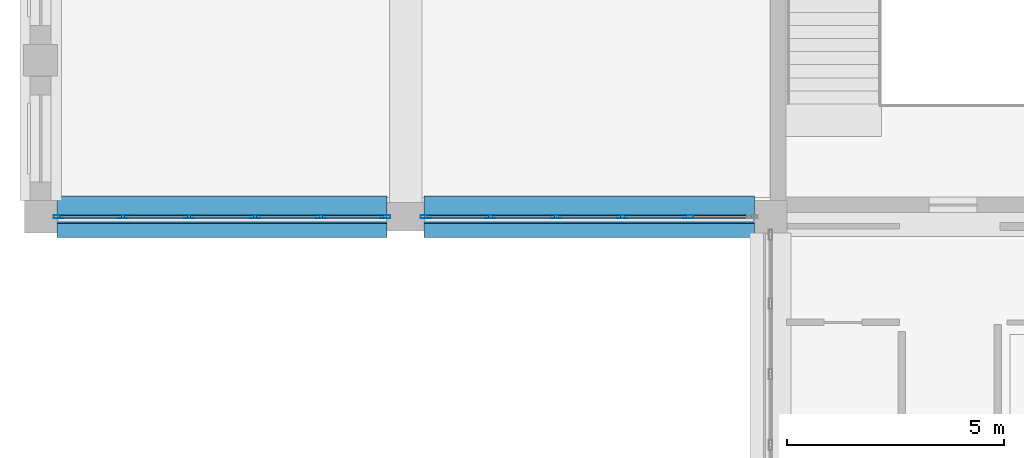
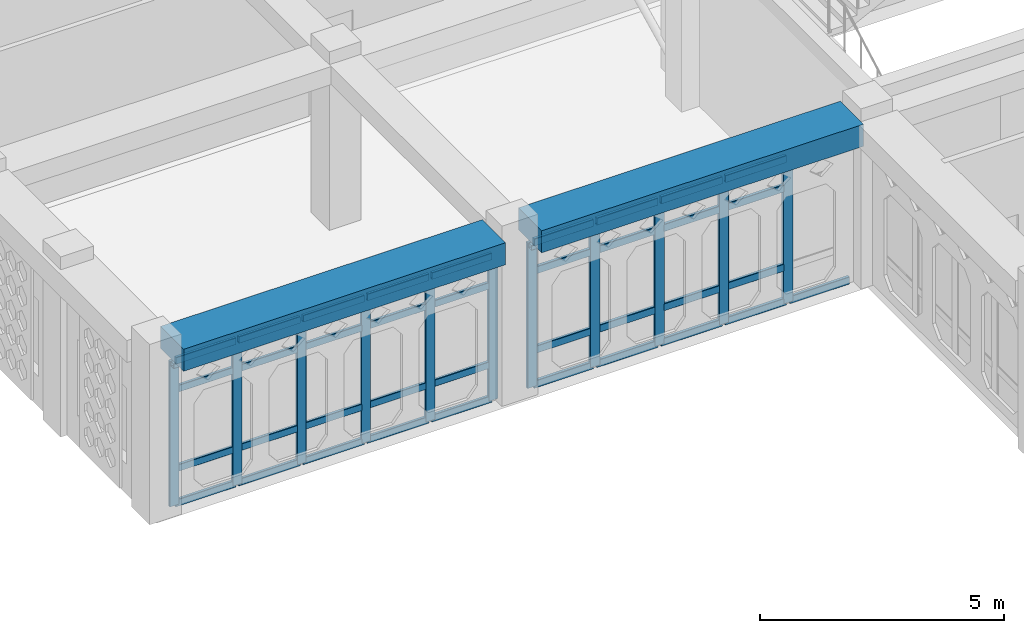
# One storey, part 2 of 100: 50 members, 2 beams, 2 elements without a shape of their own.
"""IFC4 building model written with IfcOpenShell, lengths in metres."""

from ifc_helpers import new_model, si_unit, derived_unit, direction, frame, origin, origin_2d, place, context, subcontext, project, spatial, rectangle, hollow_rectangle, extrude, material, material_profile, profile_set, type_object, element, aggregate, save


model = new_model("IFC4")

# Units and contexts
model_context = context("Model", 3, precision=1e-05, world=origin(), true_north=direction((0.0, 1.0)))
body_context = subcontext(model_context, "Body", "Model", "MODEL_VIEW")
ifc_project = project(units=[si_unit("LENGTHUNIT", "METRE"), si_unit("AREAUNIT", "SQUARE_METRE"), si_unit("VOLUMEUNIT", "CUBIC_METRE"), si_unit("PLANEANGLEUNIT", "RADIAN"), si_unit("MASSUNIT", "GRAM", prefix="KILO"), derived_unit("THERMALTRANSMITTANCEUNIT", [(si_unit("POWERUNIT", "WATT"), 1), (si_unit("LENGTHUNIT", "METRE"), -2), (si_unit("THERMODYNAMICTEMPERATUREUNIT", "KELVIN"), -1)])], contexts=[model_context])

# Site, building, storey
site_placement = place(None, origin())
site = spatial("IfcSite", under=ifc_project, at=site_placement, CompositionType="ELEMENT")
building_placement = place(site_placement, origin())
building = spatial("IfcBuilding", under=site, at=building_placement, Name="Veybourne Emporium", CompositionType="ELEMENT")
storey_placement = place(building_placement, frame((0.0, 0.0, 14.39990234375)))
storey = spatial("IfcBuildingStorey", under=building, at=storey_placement, Name="L03", CompositionType="ELEMENT", Elevation=14.39990234375)

# Curtain wall, members
ifc_material_1 = material(Name="Patinated Architectural Bronze", Category="bronze")
curtain_wall_type_1 = type_object("IfcCurtainWallType", Name="CWSystem_CWS-05", PredefinedType="NOTDEFINED", material=ifc_material_1)
curtain_wall_1_placement = place(storey_placement, origin())
curtain_wall_1 = element("IfcCurtainWall", 1, at=curtain_wall_1_placement, inside=storey, type_object=curtain_wall_type_1, Name="L03 bronze glazed curtain wall CWS-05 (001)", PredefinedType="NOTDEFINED")
ifc_material_profile_1 = material_profile(ifc_material_1, hollow_rectangle(XDim=0.072021484375, YDim=0.22509765625, WallThickness=0.0048828125, InnerFilletRadius=0.007568359375, OuterFilletRadius=0.012451171875, at=origin_2d()), Name="CWM 72x225x5")
ifc_profile_set_1 = profile_set([ifc_material_profile_1], Name="Patinated Architectural Bronze")
member_type_1 = type_object("IfcMemberType", Name="CWMullion_CW-M1", PredefinedType="MULLION", material=ifc_profile_set_1)
member_1_placement = place(storey_placement, frame((7.93896484375, 14.39990234375, 0.0), z_axis=(0.0, 0.0, 1.0), x_axis=(0.0, -1.0, 0.0)))
member_1 = element("IfcMember", 2, at=member_1_placement, type_object=member_type_1, Name="CWS-05 mullion 1", PredefinedType="MULLION", context=body_context, shape_type="SweptSolid", body=[
    extrude(hollow_rectangle(XDim=0.072021484375, YDim=0.22509765625, WallThickness=0.0048828125, InnerFilletRadius=0.007568359375, OuterFilletRadius=0.012451171875, at=origin_2d()), origin(), (0.0, 0.0, 1.0), 3.630126953125),
])
member_2_placement = place(storey_placement, frame((6.455078125, 14.39990234375, 0.0), z_axis=(0.0, 0.0, 1.0), x_axis=(0.0, -1.0, 0.0)))
member_2 = element("IfcMember", 3, at=member_2_placement, type_object=member_type_1, Name="CWS-05 mullion 2", PredefinedType="MULLION", context=body_context, shape_type="SweptSolid", body=[
    extrude(hollow_rectangle(XDim=0.072021484375, YDim=0.22509765625, WallThickness=0.0048828125, InnerFilletRadius=0.007568359375, OuterFilletRadius=0.012451171875, at=origin_2d()), origin(), (0.0, 0.0, 1.0), 3.630126953125),
])
member_3_placement = place(storey_placement, frame((4.93505859375, 14.39990234375, 0.0), z_axis=(0.0, 0.0, 1.0), x_axis=(0.0, -1.0, 0.0)))
member_3 = element("IfcMember", 4, at=member_3_placement, type_object=member_type_1, Name="CWS-05 mullion 3", PredefinedType="MULLION", context=body_context, shape_type="SweptSolid", body=[
    extrude(hollow_rectangle(XDim=0.072021484375, YDim=0.22509765625, WallThickness=0.0048828125, InnerFilletRadius=0.007568359375, OuterFilletRadius=0.012451171875, at=origin_2d()), origin(), (0.0, 0.0, 1.0), 3.630126953125),
])
member_4_placement = place(storey_placement, frame((3.4150390625, 14.39990234375, 0.0), z_axis=(0.0, 0.0, 1.0), x_axis=(0.0, -1.0, 0.0)))
member_4 = element("IfcMember", 5, at=member_4_placement, type_object=member_type_1, Name="CWS-05 mullion 4", PredefinedType="MULLION", context=body_context, shape_type="SweptSolid", body=[
    extrude(hollow_rectangle(XDim=0.072021484375, YDim=0.22509765625, WallThickness=0.0048828125, InnerFilletRadius=0.007568359375, OuterFilletRadius=0.012451171875, at=origin_2d()), origin(), (0.0, 0.0, 1.0), 3.630126953125),
])
member_5_placement = place(storey_placement, frame((1.89501953125, 14.39990234375, 0.0), z_axis=(0.0, 0.0, 1.0), x_axis=(0.0, -1.0, 0.0)))
member_5 = element("IfcMember", 6, at=member_5_placement, type_object=member_type_1, Name="CWS-05 mullion 5", PredefinedType="MULLION", context=body_context, shape_type="SweptSolid", body=[
    extrude(hollow_rectangle(XDim=0.072021484375, YDim=0.22509765625, WallThickness=0.0048828125, InnerFilletRadius=0.007568359375, OuterFilletRadius=0.012451171875, at=origin_2d()), origin(), (0.0, 0.0, 1.0), 3.630126953125),
])
member_6_placement = place(storey_placement, frame((0.410888671875, 14.39990234375, 0.0), z_axis=(0.0, 0.0, 1.0), x_axis=(0.0, -1.0, 0.0)))
member_6 = element("IfcMember", 7, at=member_6_placement, type_object=member_type_1, Name="CWS-05 mullion 6", PredefinedType="MULLION", context=body_context, shape_type="SweptSolid", body=[
    extrude(hollow_rectangle(XDim=0.072021484375, YDim=0.22509765625, WallThickness=0.0048828125, InnerFilletRadius=0.007568359375, OuterFilletRadius=0.012451171875, at=origin_2d()), origin(), (0.0, 0.0, 1.0), 3.630126953125),
])

curtain_wall_type_2 = type_object("IfcCurtainWallType", Name="CWSystem_CWS-07", PredefinedType="NOTDEFINED", material=ifc_material_1)
curtain_wall_2_placement = place(storey_placement, origin())
curtain_wall_2 = element("IfcCurtainWall", 8, at=curtain_wall_2_placement, inside=storey, type_object=curtain_wall_type_2, Name="L03 bronze glazed curtain wall CWS-07 (008)", PredefinedType="NOTDEFINED")
ifc_material_profile_2 = material_profile(ifc_material_1, hollow_rectangle(XDim=0.077880859375, YDim=0.235107421875, WallThickness=0.0048828125, InnerFilletRadius=0.007568359375, OuterFilletRadius=0.012451171875, at=origin_2d()), Name="CWM 78x235x5")
ifc_profile_set_2 = profile_set([ifc_material_profile_2], Name="Patinated Architectural Bronze")
member_type_2 = type_object("IfcMemberType", Name="CWMullion_CW-M3", PredefinedType="MULLION", material=ifc_profile_set_2)
member_7_placement = place(storey_placement, frame((14.905029296875, 14.39990234375, 0.0), z_axis=(0.0, 0.0, 1.0), x_axis=(0.0, -1.0, 0.0)))
member_7 = element("IfcMember", 9, at=member_7_placement, type_object=member_type_2, Name="CWS-07 mullion 2", PredefinedType="MULLION", context=body_context, shape_type="SweptSolid", body=[
    extrude(hollow_rectangle(XDim=0.077880859375, YDim=0.235107421875, WallThickness=0.0048828125, InnerFilletRadius=0.007568359375, OuterFilletRadius=0.012451171875, at=origin_2d()), origin(), (0.0, 0.0, 1.0), 3.630126953125),
])
member_8_placement = place(storey_placement, frame((13.385009765625, 14.39990234375, 0.0), z_axis=(0.0, 0.0, 1.0), x_axis=(0.0, -1.0, 0.0)))
member_8 = element("IfcMember", 10, at=member_8_placement, type_object=member_type_2, Name="CWS-07 mullion 3", PredefinedType="MULLION", context=body_context, shape_type="SweptSolid", body=[
    extrude(hollow_rectangle(XDim=0.077880859375, YDim=0.235107421875, WallThickness=0.0048828125, InnerFilletRadius=0.007568359375, OuterFilletRadius=0.012451171875, at=origin_2d()), origin(), (0.0, 0.0, 1.0), 3.630126953125),
])
member_9_placement = place(storey_placement, frame((11.864990234375, 14.39990234375, 0.0), z_axis=(0.0, 0.0, 1.0), x_axis=(0.0, -1.0, 0.0)))
member_9 = element("IfcMember", 11, at=member_9_placement, type_object=member_type_2, Name="CWS-07 mullion 4", PredefinedType="MULLION", context=body_context, shape_type="SweptSolid", body=[
    extrude(hollow_rectangle(XDim=0.077880859375, YDim=0.235107421875, WallThickness=0.0048828125, InnerFilletRadius=0.007568359375, OuterFilletRadius=0.012451171875, at=origin_2d()), origin(), (0.0, 0.0, 1.0), 3.630126953125),
])
member_10_placement = place(storey_placement, frame((10.344970703125, 14.39990234375, 0.0), z_axis=(0.0, 0.0, 1.0), x_axis=(0.0, -1.0, 0.0)))
member_10 = element("IfcMember", 12, at=member_10_placement, type_object=member_type_2, Name="CWS-07 mullion 5", PredefinedType="MULLION", context=body_context, shape_type="SweptSolid", body=[
    extrude(hollow_rectangle(XDim=0.077880859375, YDim=0.235107421875, WallThickness=0.0048828125, InnerFilletRadius=0.007568359375, OuterFilletRadius=0.012451171875, at=origin_2d()), origin(), (0.0, 0.0, 1.0), 3.630126953125),
])
member_11_placement = place(storey_placement, frame((8.864013671875, 14.39990234375, 0.0), z_axis=(0.0, 0.0, 1.0), x_axis=(0.0, -1.0, 0.0)))
member_11 = element("IfcMember", 13, at=member_11_placement, type_object=member_type_2, Name="CWS-07 mullion 6", PredefinedType="MULLION", context=body_context, shape_type="SweptSolid", body=[
    extrude(hollow_rectangle(XDim=0.077880859375, YDim=0.235107421875, WallThickness=0.0048828125, InnerFilletRadius=0.007568359375, OuterFilletRadius=0.012451171875, at=origin_2d()), origin(), (0.0, 0.0, 1.0), 3.630126953125),
])

# Member
ifc_material_profile_3 = material_profile(ifc_material_1, hollow_rectangle(XDim=0.072021484375, YDim=0.175048828125, WallThickness=0.0048828125, InnerFilletRadius=0.007568359375, OuterFilletRadius=0.012451171875, at=origin_2d()), Name="CWT 72x175x5")
ifc_profile_set_3 = profile_set([ifc_material_profile_3], Name="Patinated Architectural Bronze")
member_type_3 = type_object("IfcMemberType", Name="CWTransom_CW-T1", PredefinedType="NOTDEFINED", material=ifc_profile_set_3)
member_12_placement = place(storey_placement, frame((7.903076171875, 14.39990234375, 0.0361328125), z_axis=(-1.0, 0.0, 0.0), x_axis=(0.0, -1.0, 0.0)))
member_12 = element("IfcMember", 14, at=member_12_placement, type_object=member_type_3, Name="CWS-05 transom 1.1", ObjectType="TRANSOM", PredefinedType="USERDEFINED", context=body_context, shape_type="SweptSolid", body=[
    extrude(hollow_rectangle(XDim=0.072021484375, YDim=0.175048828125, WallThickness=0.0048828125, InnerFilletRadius=0.007568359375, OuterFilletRadius=0.012451171875, at=origin_2d()), origin(), (0.0, 0.0, 1.0), 1.412109375),
])

member_13_placement = place(storey_placement, frame((7.903076171875, 14.39990234375, 0.900146484375), z_axis=(-1.0, 0.0, 0.0), x_axis=(0.0, -1.0, 0.0)))
member_13 = element("IfcMember", 15, at=member_13_placement, type_object=member_type_3, Name="CWS-05 transom 1.2", ObjectType="TRANSOM", PredefinedType="USERDEFINED", context=body_context, shape_type="SweptSolid", body=[
    extrude(hollow_rectangle(XDim=0.072021484375, YDim=0.175048828125, WallThickness=0.0048828125, InnerFilletRadius=0.007568359375, OuterFilletRadius=0.012451171875, at=origin_2d()), origin(), (0.0, 0.0, 1.0), 1.412109375),
])

member_14_placement = place(storey_placement, frame((7.903076171875, 14.39990234375, 2.880126953125), z_axis=(-1.0, 0.0, 0.0), x_axis=(0.0, -1.0, 0.0)))
member_14 = element("IfcMember", 16, at=member_14_placement, type_object=member_type_3, Name="CWS-05 transom 1.3", ObjectType="TRANSOM", PredefinedType="USERDEFINED", context=body_context, shape_type="SweptSolid", body=[
    extrude(hollow_rectangle(XDim=0.072021484375, YDim=0.175048828125, WallThickness=0.0048828125, InnerFilletRadius=0.007568359375, OuterFilletRadius=0.012451171875, at=origin_2d()), origin(), (0.0, 0.0, 1.0), 1.412109375),
])

member_15_placement = place(storey_placement, frame((7.903076171875, 14.39990234375, 3.593994140625), z_axis=(-1.0, 0.0, 0.0), x_axis=(0.0, -1.0, 0.0)))
member_15 = element("IfcMember", 17, at=member_15_placement, type_object=member_type_3, Name="CWS-05 transom 1.4", ObjectType="TRANSOM", PredefinedType="USERDEFINED", context=body_context, shape_type="SweptSolid", body=[
    extrude(hollow_rectangle(XDim=0.072021484375, YDim=0.175048828125, WallThickness=0.0048828125, InnerFilletRadius=0.007568359375, OuterFilletRadius=0.012451171875, at=origin_2d()), origin(), (0.0, 0.0, 1.0), 1.412109375),
])

member_16_placement = place(storey_placement, frame((6.4189453125, 14.39990234375, 0.0361328125), z_axis=(-1.0, 0.0, 0.0), x_axis=(0.0, -1.0, 0.0)))
member_16 = element("IfcMember", 18, at=member_16_placement, type_object=member_type_3, Name="CWS-05 transom 2.1", ObjectType="TRANSOM", PredefinedType="USERDEFINED", context=body_context, shape_type="SweptSolid", body=[
    extrude(hollow_rectangle(XDim=0.072021484375, YDim=0.175048828125, WallThickness=0.0048828125, InnerFilletRadius=0.007568359375, OuterFilletRadius=0.012451171875, at=origin_2d()), origin(), (0.0, 0.0, 1.0), 1.447998046875),
])

member_17_placement = place(storey_placement, frame((6.4189453125, 14.39990234375, 0.900146484375), z_axis=(-1.0, 0.0, 0.0), x_axis=(0.0, -1.0, 0.0)))
member_17 = element("IfcMember", 19, at=member_17_placement, type_object=member_type_3, Name="CWS-05 transom 2.2", ObjectType="TRANSOM", PredefinedType="USERDEFINED", context=body_context, shape_type="SweptSolid", body=[
    extrude(hollow_rectangle(XDim=0.072021484375, YDim=0.175048828125, WallThickness=0.0048828125, InnerFilletRadius=0.007568359375, OuterFilletRadius=0.012451171875, at=origin_2d()), origin(), (0.0, 0.0, 1.0), 1.447998046875),
])

member_18_placement = place(storey_placement, frame((6.4189453125, 14.39990234375, 2.880126953125), z_axis=(-1.0, 0.0, 0.0), x_axis=(0.0, -1.0, 0.0)))
member_18 = element("IfcMember", 20, at=member_18_placement, type_object=member_type_3, Name="CWS-05 transom 2.3", ObjectType="TRANSOM", PredefinedType="USERDEFINED", context=body_context, shape_type="SweptSolid", body=[
    extrude(hollow_rectangle(XDim=0.072021484375, YDim=0.175048828125, WallThickness=0.0048828125, InnerFilletRadius=0.007568359375, OuterFilletRadius=0.012451171875, at=origin_2d()), origin(), (0.0, 0.0, 1.0), 1.447998046875),
])

member_19_placement = place(storey_placement, frame((6.4189453125, 14.39990234375, 3.593994140625), z_axis=(-1.0, 0.0, 0.0), x_axis=(0.0, -1.0, 0.0)))
member_19 = element("IfcMember", 21, at=member_19_placement, type_object=member_type_3, Name="CWS-05 transom 2.4", ObjectType="TRANSOM", PredefinedType="USERDEFINED", context=body_context, shape_type="SweptSolid", body=[
    extrude(hollow_rectangle(XDim=0.072021484375, YDim=0.175048828125, WallThickness=0.0048828125, InnerFilletRadius=0.007568359375, OuterFilletRadius=0.012451171875, at=origin_2d()), origin(), (0.0, 0.0, 1.0), 1.447998046875),
])

member_20_placement = place(storey_placement, frame((4.89892578125, 14.39990234375, 0.0361328125), z_axis=(-1.0, 0.0, 0.0), x_axis=(0.0, -1.0, 0.0)))
member_20 = element("IfcMember", 22, at=member_20_placement, type_object=member_type_3, Name="CWS-05 transom 3.1", ObjectType="TRANSOM", PredefinedType="USERDEFINED", context=body_context, shape_type="SweptSolid", body=[
    extrude(hollow_rectangle(XDim=0.072021484375, YDim=0.175048828125, WallThickness=0.0048828125, InnerFilletRadius=0.007568359375, OuterFilletRadius=0.012451171875, at=origin_2d()), origin(), (0.0, 0.0, 1.0), 1.447998046875),
])

member_21_placement = place(storey_placement, frame((4.89892578125, 14.39990234375, 0.900146484375), z_axis=(-1.0, 0.0, 0.0), x_axis=(0.0, -1.0, 0.0)))
member_21 = element("IfcMember", 23, at=member_21_placement, type_object=member_type_3, Name="CWS-05 transom 3.2", ObjectType="TRANSOM", PredefinedType="USERDEFINED", context=body_context, shape_type="SweptSolid", body=[
    extrude(hollow_rectangle(XDim=0.072021484375, YDim=0.175048828125, WallThickness=0.0048828125, InnerFilletRadius=0.007568359375, OuterFilletRadius=0.012451171875, at=origin_2d()), origin(), (0.0, 0.0, 1.0), 1.447998046875),
])

member_22_placement = place(storey_placement, frame((4.89892578125, 14.39990234375, 2.880126953125), z_axis=(-1.0, 0.0, 0.0), x_axis=(0.0, -1.0, 0.0)))
member_22 = element("IfcMember", 24, at=member_22_placement, type_object=member_type_3, Name="CWS-05 transom 3.3", ObjectType="TRANSOM", PredefinedType="USERDEFINED", context=body_context, shape_type="SweptSolid", body=[
    extrude(hollow_rectangle(XDim=0.072021484375, YDim=0.175048828125, WallThickness=0.0048828125, InnerFilletRadius=0.007568359375, OuterFilletRadius=0.012451171875, at=origin_2d()), origin(), (0.0, 0.0, 1.0), 1.447998046875),
])

member_23_placement = place(storey_placement, frame((4.89892578125, 14.39990234375, 3.593994140625), z_axis=(-1.0, 0.0, 0.0), x_axis=(0.0, -1.0, 0.0)))
member_23 = element("IfcMember", 25, at=member_23_placement, type_object=member_type_3, Name="CWS-05 transom 3.4", ObjectType="TRANSOM", PredefinedType="USERDEFINED", context=body_context, shape_type="SweptSolid", body=[
    extrude(hollow_rectangle(XDim=0.072021484375, YDim=0.175048828125, WallThickness=0.0048828125, InnerFilletRadius=0.007568359375, OuterFilletRadius=0.012451171875, at=origin_2d()), origin(), (0.0, 0.0, 1.0), 1.447998046875),
])

member_24_placement = place(storey_placement, frame((3.37890625, 14.39990234375, 0.0361328125), z_axis=(-1.0, 0.0, 0.0), x_axis=(0.0, -1.0, 0.0)))
member_24 = element("IfcMember", 26, at=member_24_placement, type_object=member_type_3, Name="CWS-05 transom 4.1", ObjectType="TRANSOM", PredefinedType="USERDEFINED", context=body_context, shape_type="SweptSolid", body=[
    extrude(hollow_rectangle(XDim=0.072021484375, YDim=0.175048828125, WallThickness=0.0048828125, InnerFilletRadius=0.007568359375, OuterFilletRadius=0.012451171875, at=origin_2d()), origin(), (0.0, 0.0, 1.0), 1.447998046875),
])

member_25_placement = place(storey_placement, frame((3.37890625, 14.39990234375, 0.900146484375), z_axis=(-1.0, 0.0, 0.0), x_axis=(0.0, -1.0, 0.0)))
member_25 = element("IfcMember", 27, at=member_25_placement, type_object=member_type_3, Name="CWS-05 transom 4.2", ObjectType="TRANSOM", PredefinedType="USERDEFINED", context=body_context, shape_type="SweptSolid", body=[
    extrude(hollow_rectangle(XDim=0.072021484375, YDim=0.175048828125, WallThickness=0.0048828125, InnerFilletRadius=0.007568359375, OuterFilletRadius=0.012451171875, at=origin_2d()), origin(), (0.0, 0.0, 1.0), 1.447998046875),
])

member_26_placement = place(storey_placement, frame((3.37890625, 14.39990234375, 2.880126953125), z_axis=(-1.0, 0.0, 0.0), x_axis=(0.0, -1.0, 0.0)))
member_26 = element("IfcMember", 28, at=member_26_placement, type_object=member_type_3, Name="CWS-05 transom 4.3", ObjectType="TRANSOM", PredefinedType="USERDEFINED", context=body_context, shape_type="SweptSolid", body=[
    extrude(hollow_rectangle(XDim=0.072021484375, YDim=0.175048828125, WallThickness=0.0048828125, InnerFilletRadius=0.007568359375, OuterFilletRadius=0.012451171875, at=origin_2d()), origin(), (0.0, 0.0, 1.0), 1.447998046875),
])

member_27_placement = place(storey_placement, frame((3.37890625, 14.39990234375, 3.593994140625), z_axis=(-1.0, 0.0, 0.0), x_axis=(0.0, -1.0, 0.0)))
member_27 = element("IfcMember", 29, at=member_27_placement, type_object=member_type_3, Name="CWS-05 transom 4.4", ObjectType="TRANSOM", PredefinedType="USERDEFINED", context=body_context, shape_type="SweptSolid", body=[
    extrude(hollow_rectangle(XDim=0.072021484375, YDim=0.175048828125, WallThickness=0.0048828125, InnerFilletRadius=0.007568359375, OuterFilletRadius=0.012451171875, at=origin_2d()), origin(), (0.0, 0.0, 1.0), 1.447998046875),
])

member_28_placement = place(storey_placement, frame((1.85888671875, 14.39990234375, 0.0361328125), z_axis=(-1.0, 0.0, 0.0), x_axis=(0.0, -1.0, 0.0)))
member_28 = element("IfcMember", 30, at=member_28_placement, type_object=member_type_3, Name="CWS-05 transom 5.1", ObjectType="TRANSOM", PredefinedType="USERDEFINED", context=body_context, shape_type="SweptSolid", body=[
    extrude(hollow_rectangle(XDim=0.072021484375, YDim=0.175048828125, WallThickness=0.0048828125, InnerFilletRadius=0.007568359375, OuterFilletRadius=0.012451171875, at=origin_2d()), origin(), (0.0, 0.0, 1.0), 1.411865234375),
])

member_29_placement = place(storey_placement, frame((1.85888671875, 14.39990234375, 0.900146484375), z_axis=(-1.0, 0.0, 0.0), x_axis=(0.0, -1.0, 0.0)))
member_29 = element("IfcMember", 31, at=member_29_placement, type_object=member_type_3, Name="CWS-05 transom 5.2", ObjectType="TRANSOM", PredefinedType="USERDEFINED", context=body_context, shape_type="SweptSolid", body=[
    extrude(hollow_rectangle(XDim=0.072021484375, YDim=0.175048828125, WallThickness=0.0048828125, InnerFilletRadius=0.007568359375, OuterFilletRadius=0.012451171875, at=origin_2d()), origin(), (0.0, 0.0, 1.0), 1.411865234375),
])

member_30_placement = place(storey_placement, frame((1.85888671875, 14.39990234375, 2.880126953125), z_axis=(-1.0, 0.0, 0.0), x_axis=(0.0, -1.0, 0.0)))
member_30 = element("IfcMember", 32, at=member_30_placement, type_object=member_type_3, Name="CWS-05 transom 5.3", ObjectType="TRANSOM", PredefinedType="USERDEFINED", context=body_context, shape_type="SweptSolid", body=[
    extrude(hollow_rectangle(XDim=0.072021484375, YDim=0.175048828125, WallThickness=0.0048828125, InnerFilletRadius=0.007568359375, OuterFilletRadius=0.012451171875, at=origin_2d()), origin(), (0.0, 0.0, 1.0), 1.411865234375),
])

member_31_placement = place(storey_placement, frame((1.85888671875, 14.39990234375, 3.593994140625), z_axis=(-1.0, 0.0, 0.0), x_axis=(0.0, -1.0, 0.0)))
member_31 = element("IfcMember", 33, at=member_31_placement, type_object=member_type_3, Name="CWS-05 transom 5.4", ObjectType="TRANSOM", PredefinedType="USERDEFINED", context=body_context, shape_type="SweptSolid", body=[
    extrude(hollow_rectangle(XDim=0.072021484375, YDim=0.175048828125, WallThickness=0.0048828125, InnerFilletRadius=0.007568359375, OuterFilletRadius=0.012451171875, at=origin_2d()), origin(), (0.0, 0.0, 1.0), 1.411865234375),
])

aggregate(curtain_wall_1, [member_1, member_2, member_3, member_4, member_5, member_6, member_12, member_13, member_14, member_15, member_16, member_17, member_18, member_19, member_20, member_21, member_22, member_23, member_24, member_25, member_26, member_27, member_28, member_29, member_30, member_31])

ifc_material_profile_4 = material_profile(ifc_material_1, hollow_rectangle(XDim=0.077880859375, YDim=0.18505859375, WallThickness=0.0048828125, InnerFilletRadius=0.007568359375, OuterFilletRadius=0.012451171875, at=origin_2d()), Name="CWT 78x185x5")
ifc_profile_set_4 = profile_set([ifc_material_profile_4], Name="Patinated Architectural Bronze")
member_type_4 = type_object("IfcMemberType", Name="CWTransom_CW-T3", PredefinedType="NOTDEFINED", material=ifc_profile_set_4)
member_32_placement = place(storey_placement, frame((16.346923828125, 14.39990234375, 0.0390625), z_axis=(-1.0, 0.0, 0.0), x_axis=(0.0, -1.0, 0.0)))
member_32 = element("IfcMember", 34, at=member_32_placement, type_object=member_type_4, Name="CWS-07 transom 1.1", ObjectType="TRANSOM", PredefinedType="USERDEFINED", context=body_context, shape_type="SweptSolid", body=[
    extrude(hollow_rectangle(XDim=0.077880859375, YDim=0.18505859375, WallThickness=0.0048828125, InnerFilletRadius=0.007568359375, OuterFilletRadius=0.012451171875, at=origin_2d()), origin(), (0.0, 0.0, 1.0), 1.40283203125),
])

member_33_placement = place(storey_placement, frame((14.865966796875, 14.39990234375, 0.0390625), z_axis=(-1.0, 0.0, 0.0), x_axis=(0.0, -1.0, 0.0)))
member_33 = element("IfcMember", 35, at=member_33_placement, type_object=member_type_4, Name="CWS-07 transom 2.1", ObjectType="TRANSOM", PredefinedType="USERDEFINED", context=body_context, shape_type="SweptSolid", body=[
    extrude(hollow_rectangle(XDim=0.077880859375, YDim=0.18505859375, WallThickness=0.0048828125, InnerFilletRadius=0.007568359375, OuterFilletRadius=0.012451171875, at=origin_2d()), origin(), (0.0, 0.0, 1.0), 1.44189453125),
])

member_34_placement = place(storey_placement, frame((14.865966796875, 14.39990234375, 0.900146484375), z_axis=(-1.0, 0.0, 0.0), x_axis=(0.0, -1.0, 0.0)))
member_34 = element("IfcMember", 36, at=member_34_placement, type_object=member_type_4, Name="CWS-07 transom 2.2", ObjectType="TRANSOM", PredefinedType="USERDEFINED", context=body_context, shape_type="SweptSolid", body=[
    extrude(hollow_rectangle(XDim=0.077880859375, YDim=0.18505859375, WallThickness=0.0048828125, InnerFilletRadius=0.007568359375, OuterFilletRadius=0.012451171875, at=origin_2d()), origin(), (0.0, 0.0, 1.0), 1.44189453125),
])

member_35_placement = place(storey_placement, frame((14.865966796875, 14.39990234375, 2.880126953125), z_axis=(-1.0, 0.0, 0.0), x_axis=(0.0, -1.0, 0.0)))
member_35 = element("IfcMember", 37, at=member_35_placement, type_object=member_type_4, Name="CWS-07 transom 2.3", ObjectType="TRANSOM", PredefinedType="USERDEFINED", context=body_context, shape_type="SweptSolid", body=[
    extrude(hollow_rectangle(XDim=0.077880859375, YDim=0.18505859375, WallThickness=0.0048828125, InnerFilletRadius=0.007568359375, OuterFilletRadius=0.012451171875, at=origin_2d()), origin(), (0.0, 0.0, 1.0), 1.44189453125),
])

member_36_placement = place(storey_placement, frame((14.865966796875, 14.39990234375, 3.591064453125), z_axis=(-1.0, 0.0, 0.0), x_axis=(0.0, -1.0, 0.0)))
member_36 = element("IfcMember", 38, at=member_36_placement, type_object=member_type_4, Name="CWS-07 transom 2.4", ObjectType="TRANSOM", PredefinedType="USERDEFINED", context=body_context, shape_type="SweptSolid", body=[
    extrude(hollow_rectangle(XDim=0.077880859375, YDim=0.18505859375, WallThickness=0.0048828125, InnerFilletRadius=0.007568359375, OuterFilletRadius=0.012451171875, at=origin_2d()), origin(), (0.0, 0.0, 1.0), 1.44189453125),
])

member_37_placement = place(storey_placement, frame((13.345947265625, 14.39990234375, 0.0390625), z_axis=(-1.0, 0.0, 0.0), x_axis=(0.0, -1.0, 0.0)))
member_37 = element("IfcMember", 39, at=member_37_placement, type_object=member_type_4, Name="CWS-07 transom 3.1", ObjectType="TRANSOM", PredefinedType="USERDEFINED", context=body_context, shape_type="SweptSolid", body=[
    extrude(hollow_rectangle(XDim=0.077880859375, YDim=0.18505859375, WallThickness=0.0048828125, InnerFilletRadius=0.007568359375, OuterFilletRadius=0.012451171875, at=origin_2d()), origin(), (0.0, 0.0, 1.0), 1.44189453125),
])

member_38_placement = place(storey_placement, frame((13.345947265625, 14.39990234375, 0.900146484375), z_axis=(-1.0, 0.0, 0.0), x_axis=(0.0, -1.0, 0.0)))
member_38 = element("IfcMember", 40, at=member_38_placement, type_object=member_type_4, Name="CWS-07 transom 3.2", ObjectType="TRANSOM", PredefinedType="USERDEFINED", context=body_context, shape_type="SweptSolid", body=[
    extrude(hollow_rectangle(XDim=0.077880859375, YDim=0.18505859375, WallThickness=0.0048828125, InnerFilletRadius=0.007568359375, OuterFilletRadius=0.012451171875, at=origin_2d()), origin(), (0.0, 0.0, 1.0), 1.44189453125),
])

member_39_placement = place(storey_placement, frame((13.345947265625, 14.39990234375, 2.880126953125), z_axis=(-1.0, 0.0, 0.0), x_axis=(0.0, -1.0, 0.0)))
member_39 = element("IfcMember", 41, at=member_39_placement, type_object=member_type_4, Name="CWS-07 transom 3.3", ObjectType="TRANSOM", PredefinedType="USERDEFINED", context=body_context, shape_type="SweptSolid", body=[
    extrude(hollow_rectangle(XDim=0.077880859375, YDim=0.18505859375, WallThickness=0.0048828125, InnerFilletRadius=0.007568359375, OuterFilletRadius=0.012451171875, at=origin_2d()), origin(), (0.0, 0.0, 1.0), 1.44189453125),
])

member_40_placement = place(storey_placement, frame((13.345947265625, 14.39990234375, 3.591064453125), z_axis=(-1.0, 0.0, 0.0), x_axis=(0.0, -1.0, 0.0)))
member_40 = element("IfcMember", 42, at=member_40_placement, type_object=member_type_4, Name="CWS-07 transom 3.4", ObjectType="TRANSOM", PredefinedType="USERDEFINED", context=body_context, shape_type="SweptSolid", body=[
    extrude(hollow_rectangle(XDim=0.077880859375, YDim=0.18505859375, WallThickness=0.0048828125, InnerFilletRadius=0.007568359375, OuterFilletRadius=0.012451171875, at=origin_2d()), origin(), (0.0, 0.0, 1.0), 1.44189453125),
])

member_41_placement = place(storey_placement, frame((11.825927734375, 14.39990234375, 0.0390625), z_axis=(-1.0, 0.0, 0.0), x_axis=(0.0, -1.0, 0.0)))
member_41 = element("IfcMember", 43, at=member_41_placement, type_object=member_type_4, Name="CWS-07 transom 4.1", ObjectType="TRANSOM", PredefinedType="USERDEFINED", context=body_context, shape_type="SweptSolid", body=[
    extrude(hollow_rectangle(XDim=0.077880859375, YDim=0.18505859375, WallThickness=0.0048828125, InnerFilletRadius=0.007568359375, OuterFilletRadius=0.012451171875, at=origin_2d()), origin(), (0.0, 0.0, 1.0), 1.44189453125),
])

member_42_placement = place(storey_placement, frame((11.825927734375, 14.39990234375, 0.900146484375), z_axis=(-1.0, 0.0, 0.0), x_axis=(0.0, -1.0, 0.0)))
member_42 = element("IfcMember", 44, at=member_42_placement, type_object=member_type_4, Name="CWS-07 transom 4.2", ObjectType="TRANSOM", PredefinedType="USERDEFINED", context=body_context, shape_type="SweptSolid", body=[
    extrude(hollow_rectangle(XDim=0.077880859375, YDim=0.18505859375, WallThickness=0.0048828125, InnerFilletRadius=0.007568359375, OuterFilletRadius=0.012451171875, at=origin_2d()), origin(), (0.0, 0.0, 1.0), 1.44189453125),
])

member_43_placement = place(storey_placement, frame((11.825927734375, 14.39990234375, 2.880126953125), z_axis=(-1.0, 0.0, 0.0), x_axis=(0.0, -1.0, 0.0)))
member_43 = element("IfcMember", 45, at=member_43_placement, type_object=member_type_4, Name="CWS-07 transom 4.3", ObjectType="TRANSOM", PredefinedType="USERDEFINED", context=body_context, shape_type="SweptSolid", body=[
    extrude(hollow_rectangle(XDim=0.077880859375, YDim=0.18505859375, WallThickness=0.0048828125, InnerFilletRadius=0.007568359375, OuterFilletRadius=0.012451171875, at=origin_2d()), origin(), (0.0, 0.0, 1.0), 1.44189453125),
])

member_44_placement = place(storey_placement, frame((11.825927734375, 14.39990234375, 3.591064453125), z_axis=(-1.0, 0.0, 0.0), x_axis=(0.0, -1.0, 0.0)))
member_44 = element("IfcMember", 46, at=member_44_placement, type_object=member_type_4, Name="CWS-07 transom 4.4", ObjectType="TRANSOM", PredefinedType="USERDEFINED", context=body_context, shape_type="SweptSolid", body=[
    extrude(hollow_rectangle(XDim=0.077880859375, YDim=0.18505859375, WallThickness=0.0048828125, InnerFilletRadius=0.007568359375, OuterFilletRadius=0.012451171875, at=origin_2d()), origin(), (0.0, 0.0, 1.0), 1.44189453125),
])

member_45_placement = place(storey_placement, frame((10.305908203125, 14.39990234375, 0.0390625), z_axis=(-1.0, 0.0, 0.0), x_axis=(0.0, -1.0, 0.0)))
member_45 = element("IfcMember", 47, at=member_45_placement, type_object=member_type_4, Name="CWS-07 transom 5.1", ObjectType="TRANSOM", PredefinedType="USERDEFINED", context=body_context, shape_type="SweptSolid", body=[
    extrude(hollow_rectangle(XDim=0.077880859375, YDim=0.18505859375, WallThickness=0.0048828125, InnerFilletRadius=0.007568359375, OuterFilletRadius=0.012451171875, at=origin_2d()), origin(), (0.0, 0.0, 1.0), 1.40283203125),
])

member_46_placement = place(storey_placement, frame((10.305908203125, 14.39990234375, 0.900146484375), z_axis=(-1.0, 0.0, 0.0), x_axis=(0.0, -1.0, 0.0)))
member_46 = element("IfcMember", 48, at=member_46_placement, type_object=member_type_4, Name="CWS-07 transom 5.2", ObjectType="TRANSOM", PredefinedType="USERDEFINED", context=body_context, shape_type="SweptSolid", body=[
    extrude(hollow_rectangle(XDim=0.077880859375, YDim=0.18505859375, WallThickness=0.0048828125, InnerFilletRadius=0.007568359375, OuterFilletRadius=0.012451171875, at=origin_2d()), origin(), (0.0, 0.0, 1.0), 1.40283203125),
])

member_47_placement = place(storey_placement, frame((10.305908203125, 14.39990234375, 2.880126953125), z_axis=(-1.0, 0.0, 0.0), x_axis=(0.0, -1.0, 0.0)))
member_47 = element("IfcMember", 49, at=member_47_placement, type_object=member_type_4, Name="CWS-07 transom 5.3", ObjectType="TRANSOM", PredefinedType="USERDEFINED", context=body_context, shape_type="SweptSolid", body=[
    extrude(hollow_rectangle(XDim=0.077880859375, YDim=0.18505859375, WallThickness=0.0048828125, InnerFilletRadius=0.007568359375, OuterFilletRadius=0.012451171875, at=origin_2d()), origin(), (0.0, 0.0, 1.0), 1.40283203125),
])

member_48_placement = place(storey_placement, frame((10.305908203125, 14.39990234375, 3.591064453125), z_axis=(-1.0, 0.0, 0.0), x_axis=(0.0, -1.0, 0.0)))
member_48 = element("IfcMember", 50, at=member_48_placement, type_object=member_type_4, Name="CWS-07 transom 5.4", ObjectType="TRANSOM", PredefinedType="USERDEFINED", context=body_context, shape_type="SweptSolid", body=[
    extrude(hollow_rectangle(XDim=0.077880859375, YDim=0.18505859375, WallThickness=0.0048828125, InnerFilletRadius=0.007568359375, OuterFilletRadius=0.012451171875, at=origin_2d()), origin(), (0.0, 0.0, 1.0), 1.40283203125),
])

aggregate(curtain_wall_2, [member_7, member_8, member_9, member_10, member_11, member_32, member_33, member_34, member_35, member_36, member_37, member_38, member_39, member_40, member_41, member_42, member_43, member_44, member_45, member_46, member_47, member_48])

# Beams
ifc_material_2 = material(Name="Concrete C32/40", Category="concrete")
ifc_material_profile_5 = material_profile(ifc_material_2, rectangle(XDim=0.949951171875, YDim=0.550048828125, at=origin_2d()), Name="RC 950x550")
ifc_profile_set_5 = profile_set([ifc_material_profile_5], Name="Concrete C32/40")
beam_type = type_object("IfcBeamType", Name="RCBeam_EB-01", PredefinedType="SPANDREL", material=ifc_profile_set_5)
for number, where, z_axis, x_axis, name in (
    (51, (0.375, 14.39990234375, 3.905029296875), (1.0, 0.0, 0.0), (0.0, 1.0, 0.0), "L03 X-grid beam EB-01 (0,2)"),
    (52, (8.824951171875, 14.39990234375, 3.905029296875), (1.0, 0.0, 0.0), (0.0, 1.0, 0.0), "L03 X-grid beam EB-01 (1,2)"),
):
    element("IfcBeam", number, at=place(storey_placement, frame(where, z_axis=z_axis, x_axis=x_axis)), inside=storey, type_object=beam_type, Name=name, PredefinedType="SPANDREL", context=body_context, shape_type="SweptSolid", body=[
        extrude(rectangle(XDim=0.949951171875, YDim=0.550048828125, at=origin_2d()), origin(), (0.0, 0.0, 1.0), 7.60009765625),
    ])

# Members
ifc_material_3 = material(Name="Steel S355", Category="steel")
ifc_material_profile_6 = material_profile(ifc_material_3, hollow_rectangle(XDim=0.1201171875, YDim=0.1201171875, WallThickness=0.00634765625, InnerFilletRadius=0.009521484375, OuterFilletRadius=0.015869140625, at=origin_2d()), Name="SHS 120x120x6.3")
ifc_profile_set_6 = profile_set([ifc_material_profile_6], Name="Steel S355")
member_type_5 = type_object("IfcMemberType", Name="SteelMem_CS-02", PredefinedType="STRUT", material=ifc_profile_set_6)
member_49_placement = place(storey_placement, frame((8.02490234375, 14.305908203125, 3.570068359375), z_axis=(-1.0, 0.0, 0.0), x_axis=(0.0, -1.0, 0.0)))
element("IfcMember", 53, at=member_49_placement, inside=storey, type_object=member_type_5, Name="Corner entrance lattice architrave bar 01", PredefinedType="STRUT", context=body_context, shape_type="SweptSolid", body=[
    extrude(hollow_rectangle(XDim=0.1201171875, YDim=0.1201171875, WallThickness=0.00634765625, InnerFilletRadius=0.009521484375, OuterFilletRadius=0.015869140625, at=origin_2d()), origin(), (0.0, 0.0, 1.0), 7.699951171875),
])
member_50_placement = place(storey_placement, frame((16.47509765625, 14.302978515625, 3.570068359375), z_axis=(-1.0, 0.0, 0.0), x_axis=(0.0, -1.0, 0.0)))
element("IfcMember", 54, at=member_50_placement, inside=storey, type_object=member_type_5, Name="Corner entrance lattice architrave bar 02", PredefinedType="STRUT", context=body_context, shape_type="SweptSolid", body=[
    extrude(hollow_rectangle(XDim=0.1201171875, YDim=0.1201171875, WallThickness=0.00634765625, InnerFilletRadius=0.009521484375, OuterFilletRadius=0.015869140625, at=origin_2d()), origin(), (0.0, 0.0, 1.0), 7.7001953125),
])

save(model, "model.ifc")
